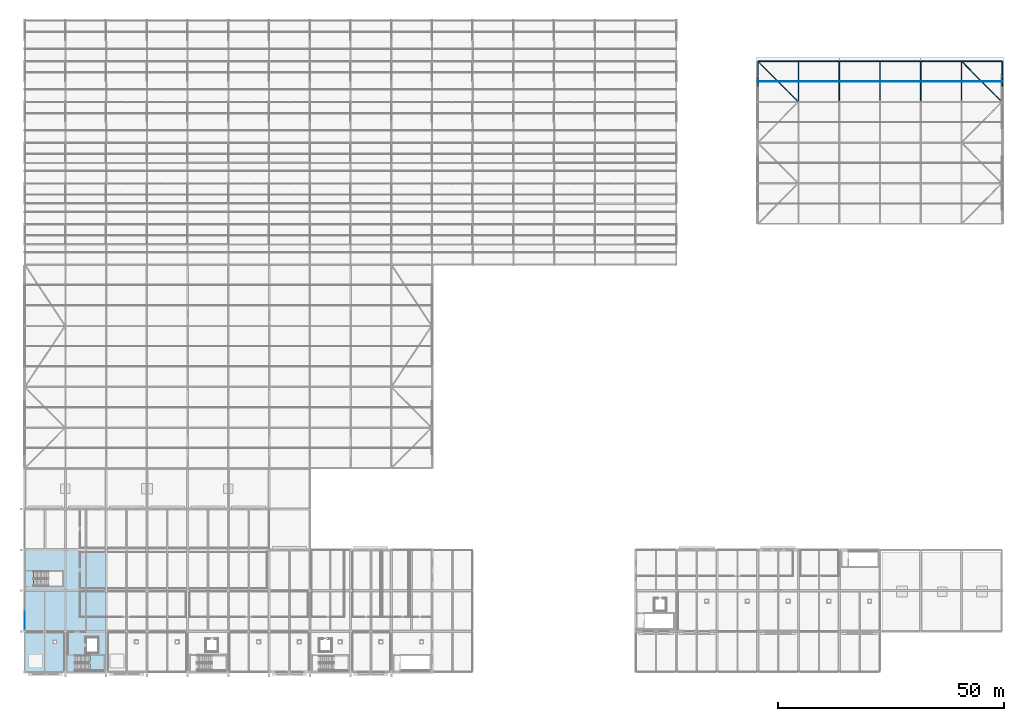
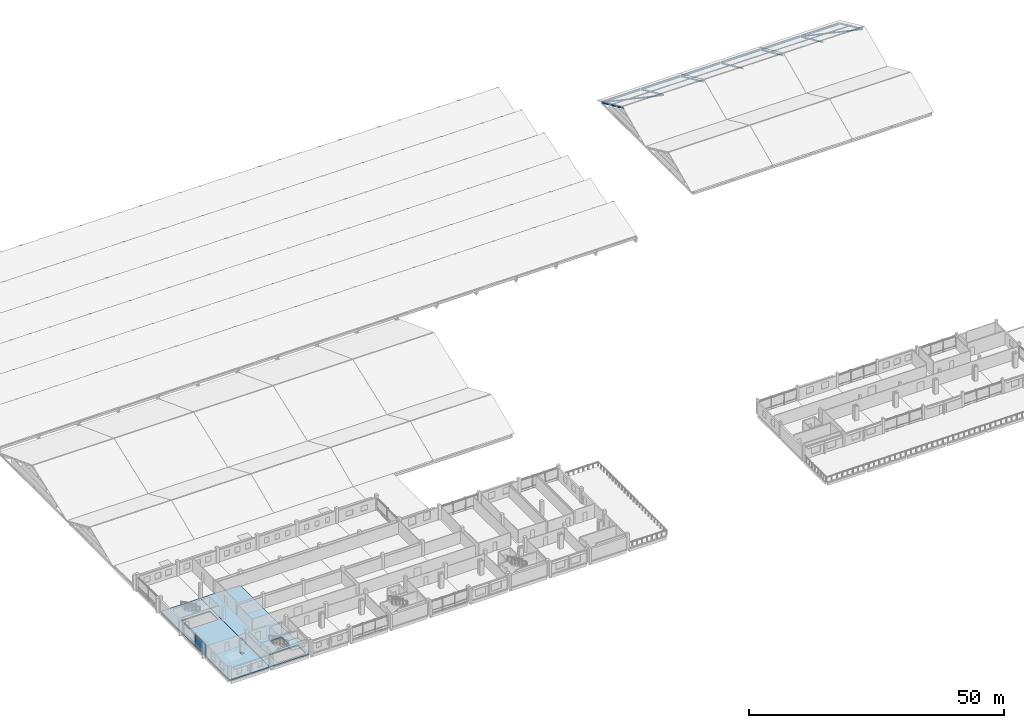
# One storey, part 107 of 163: 15 members, 6 beams, 3 slabs, 2 plates, 2 elements without a shape of their own.
"""IFC4 building model written with IfcOpenShell, lengths in metres."""

from ifc_helpers import new_model, si_unit, direction, frame, origin, origin_2d, place, context, subcontext, project, spatial, polyline, rectangle, i_section, outline, extrude, material, layer, layer_set, material_profile, profile_set, type_object, element, aggregate, save


model = new_model("IFC4")

# Units and contexts
model_context = context("Model", 3, precision=1e-05, world=origin(), true_north=direction((0.0, 1.0)))
body_context = subcontext(model_context, "Body", "Model", "MODEL_VIEW")
ifc_project = project(units=[si_unit("LENGTHUNIT", "METRE"), si_unit("AREAUNIT", "SQUARE_METRE"), si_unit("VOLUMEUNIT", "CUBIC_METRE"), si_unit("PLANEANGLEUNIT", "RADIAN"), si_unit("MASSUNIT", "GRAM", prefix="KILO")], contexts=[model_context])

# Site, building, storey
site_placement = place(None, origin())
site = spatial("IfcSite", under=ifc_project, at=site_placement, CompositionType="ELEMENT")
building_placement = place(site_placement, origin())
building = spatial("IfcBuilding", under=site, at=building_placement, Name="Tharagai Park Tramway Depot", CompositionType="ELEMENT")
storey_placement = place(building_placement, frame((0.0, 0.0, 8.39990234375)))
storey = spatial("IfcBuildingStorey", under=building, at=storey_placement, Name="L02", CompositionType="ELEMENT", Elevation=8.39990234375)

# Beams
ifc_material_1 = material(Name="Steel E350", Category="steel")
ifc_material_profile_1 = material_profile(ifc_material_1, i_section(OverallWidth=0.179931640625, OverallDepth=0.5, WebThickness=0.01025390625, FlangeThickness=0.01708984375, FilletRadius=0.01708984375, at=origin_2d()), Name="ISMB 500")
ifc_profile_set_1 = profile_set([ifc_material_profile_1], Name="Steel E350")
beam_type = type_object("IfcBeamType", Name="BM-18", PredefinedType="BEAM", material=ifc_profile_set_1)
for number, where, z_axis, x_axis, name in (
    (1, (162.080078125, 135.0, -0.5), (1.0, 0.0, 0.0), (0.0, 1.0, 0.0), "V3B2 Roof Eave Girder BM-18"),
    (2, (171.080078125, 135.0, -0.5), (1.0, 0.0, 0.0), (0.0, 1.0, 0.0), "V3B2 Roof Eave Girder BM-18"),
    (3, (180.080078125, 135.0, -0.5), (1.0, 0.0, 0.0), (0.0, 1.0, 0.0), "V3B2 Roof Eave Girder BM-18"),
    (4, (189.080078125, 135.0, -0.5), (1.0, 0.0, 0.0), (0.0, 1.0, 0.0), "V3B2 Roof Eave Girder BM-18"),
    (5, (198.080078125, 135.0, -0.5), (1.0, 0.0, 0.0), (0.0, 1.0, 0.0), "V3B2 Roof Eave Girder BM-18"),
    (6, (207.080078125, 135.0, -0.5), (1.0, 0.0, 0.0), (0.0, 1.0, 0.0), "V3B2 Roof Eave Girder BM-18"),
):
    element("IfcBeam", number, at=place(storey_placement, frame(where, z_axis=z_axis, x_axis=x_axis)), inside=storey, type_object=beam_type, Name=name, PredefinedType="BEAM", context=body_context, shape_type="SweptSolid", body=[
        extrude(i_section(OverallWidth=0.179931640625, OverallDepth=0.5, WebThickness=0.01025390625, FlangeThickness=0.01708984375, FilletRadius=0.01708984375, at=origin_2d()), origin(), (0.0, 0.0, 1.0), 8.83984375),
    ])

# Members
ifc_material_profile_2 = material_profile(ifc_material_1, i_section(OverallWidth=0.110107421875, OverallDepth=0.22509765625, WebThickness=0.006591796875, FlangeThickness=0.01171875, FilletRadius=0.011962890625, at=origin_2d()), Name="ISMB 225")
ifc_profile_set_2 = profile_set([ifc_material_profile_2], Name="Steel E350")
member_type_1 = type_object("IfcMemberType", Name="BR-04", PredefinedType="BRACE", material=ifc_profile_set_2)
for number, where, z_axis, x_axis, name in (
    (7, (162.080078125, 134.919921875, -0.5), (0.670013535157, -0.676083034703, 0.306583745318), (0.710287879152, 0.703911307432, 0.0), "V3B2 Roof Wind Brace BR-04"),
    (8, (207.080078125, 134.919921875, -0.5), (0.670013535157, -0.676083034703, 0.306583745318), (0.710287879152, 0.703911307432, 0.0), "V3B2 Roof Wind Brace BR-04"),
):
    element("IfcMember", number, at=place(storey_placement, frame(where, z_axis=z_axis, x_axis=x_axis)), inside=storey, type_object=member_type_1, Name=name, PredefinedType="BRACE", context=body_context, shape_type="SweptSolid", body=[
        extrude(i_section(OverallWidth=0.110107421875, OverallDepth=0.22509765625, WebThickness=0.006591796875, FlangeThickness=0.01171875, FilletRadius=0.011962890625, at=origin_2d()), origin(), (0.0, 0.0, 1.0), 13.193603515625),
    ])
ifc_material_2 = material(Name="Steel E250", Category="steel")
ifc_material_profile_3 = material_profile(ifc_material_2, i_section(OverallWidth=0.080078125, OverallDepth=0.14990234375, WebThickness=0.0048828125, FlangeThickness=0.007568359375, FilletRadius=0.009033203125, at=origin_2d()), Name="ISMB 150")
ifc_profile_set_3 = profile_set([ifc_material_profile_3], Name="Steel E250")
member_type_2 = type_object("IfcMemberType", Name="PR-05", PredefinedType="PURLIN", material=ifc_profile_set_3)
for number, where, z_axis, x_axis, name in (
    (9, (162.02001953125, 130.5, 1.77392578125), (1.0, 0.0, 0.0), (0.0, 1.0, 0.0), "V3B2 Roof Purlin PR-05"),
    (10, (171.02001953125, 130.5, 1.77392578125), (1.0, 0.0, 0.0), (0.0, 1.0, 0.0), "V3B2 Roof Purlin PR-05"),
    (11, (180.02001953125, 130.5, 1.77392578125), (1.0, 0.0, 0.0), (0.0, 1.0, 0.0), "V3B2 Roof Purlin PR-05"),
    (12, (189.02001953125, 130.5, 1.77392578125), (1.0, 0.0, 0.0), (0.0, 1.0, 0.0), "V3B2 Roof Purlin PR-05"),
    (13, (198.02001953125, 130.5, 1.77392578125), (1.0, 0.0, 0.0), (0.0, 1.0, 0.0), "V3B2 Roof Purlin PR-05"),
    (14, (207.02001953125, 130.5, 1.77392578125), (1.0, 0.0, 0.0), (0.0, 1.0, 0.0), "V3B2 Roof Purlin PR-05"),
):
    element("IfcMember", number, at=place(storey_placement, frame(where, z_axis=z_axis, x_axis=x_axis)), inside=storey, type_object=member_type_2, Name=name, PredefinedType="PURLIN", context=body_context, shape_type="SweptSolid", body=[
        extrude(i_section(OverallWidth=0.080078125, OverallDepth=0.14990234375, WebThickness=0.0048828125, FlangeThickness=0.007568359375, FilletRadius=0.009033203125, at=origin_2d()), origin(), (0.0, 0.0, 1.0), 8.9599609375),
    ])
ifc_material_profile_4 = material_profile(ifc_material_1, i_section(OverallWidth=0.139892578125, OverallDepth=0.35009765625, WebThickness=0.008056640625, FlangeThickness=0.01416015625, FilletRadius=0.013916015625, at=origin_2d()), Name="ISMB 350")
ifc_profile_set_4 = profile_set([ifc_material_profile_4], Name="Steel E350")
member_type_3 = type_object("IfcMemberType", Name="RF-01", PredefinedType="RAFTER", material=ifc_profile_set_4)
for number, where, z_axis, x_axis, name in (
    (15, (162.0, 126.0, 3.56982421875), (0.0, 0.909083998875, -0.416612869448), (-1.0, 0.0, 0.0), "V3B2 Pitched Rafter RF-01 North"),
    (16, (171.0, 126.0, 3.56982421875), (0.0, 0.909083998875, -0.416612869448), (-1.0, 0.0, 0.0), "V3B2 Pitched Rafter RF-01 North"),
    (17, (180.0, 126.0, 3.56982421875), (0.0, 0.909083998875, -0.416612869448), (-1.0, 0.0, 0.0), "V3B2 Pitched Rafter RF-01 North"),
    (18, (189.0, 126.0, 3.56982421875), (0.0, 0.909083998875, -0.416612869448), (-1.0, 0.0, 0.0), "V3B2 Pitched Rafter RF-01 North"),
    (19, (198.0, 126.0, 3.56982421875), (0.0, 0.909083998875, -0.416612869448), (-1.0, 0.0, 0.0), "V3B2 Pitched Rafter RF-01 North"),
    (20, (207.0, 126.0, 3.56982421875), (0.0, 0.909083998875, -0.416612869448), (-1.0, 0.0, 0.0), "V3B2 Pitched Rafter RF-01 North"),
    (21, (216.0, 126.0, 3.56982421875), (0.0, 0.909083998875, -0.416612869448), (-1.0, 0.0, 0.0), "V3B2 Pitched Rafter RF-01 North"),
):
    element("IfcMember", number, at=place(storey_placement, frame(where, z_axis=z_axis, x_axis=x_axis)), inside=storey, type_object=member_type_3, Name=name, PredefinedType="RAFTER", context=body_context, shape_type="SweptSolid", body=[
        extrude(i_section(OverallWidth=0.139892578125, OverallDepth=0.35009765625, WebThickness=0.008056640625, FlangeThickness=0.01416015625, FilletRadius=0.013916015625, at=origin_2d()), origin(), (0.0, 0.0, 1.0), 9.844970703125),
    ])

# Curtain wall, plates
ifc_material_3 = material(Name="Anodised aluminium", Category="aluminium")
curtain_wall_type = type_object("IfcCurtainWallType", Name="CW-07", PredefinedType="NOTDEFINED", material=ifc_material_3)
curtain_wall_placement = place(storey_placement, origin())
curtain_wall = element("IfcCurtainWall", 22, at=curtain_wall_placement, inside=storey, type_object=curtain_wall_type, Name="L02 V4 Side Mullioned Curtain Wall CW-07", PredefinedType="NOTDEFINED")
ifc_layer_1 = layer(ifc_material_3, 0.0400390625)
ifc_layer_set_1 = layer_set([ifc_layer_1], Name="Anodised aluminium")
plate_type_1 = type_object("IfcPlateType", Name="CP-01", PredefinedType="CURTAIN_PANEL", material=ifc_layer_set_1)
plate_1_placement = place(storey_placement, frame((0.0, 11.39501953125, 0.080078125), z_axis=(0.0, 0.0, 1.0), x_axis=(0.0, 1.0, 0.0)))
plate_1 = element("IfcPlate", 23, at=plate_1_placement, type_object=plate_type_1, Name="L02 V4 Side Mullioned Curtain Wall Spandrel Panel 1.1", PredefinedType="CURTAIN_PANEL", context=body_context, shape_type="SweptSolid", body=[
    extrude(rectangle(XDim=4.18994140625, YDim=0.0400390625, at=origin_2d()), origin(), (0.0, 0.0, 1.0), 0.550048828125),
])
ifc_material_4 = material(Name="Laminated solar-control glass", Category="glass")
ifc_layer_2 = layer(ifc_material_4, 0.028076171875)
ifc_layer_set_2 = layer_set([ifc_layer_2], Name="Laminated solar-control glass")
plate_type_2 = type_object("IfcPlateType", Name="CP-02", PredefinedType="CURTAIN_PANEL", material=ifc_layer_set_2)
plate_2_placement = place(storey_placement, frame((0.0, 11.39501953125, 0.670166015625), z_axis=(0.0, 0.0, 1.0), x_axis=(0.0, 1.0, 0.0)))
plate_2 = element("IfcPlate", 24, at=plate_2_placement, type_object=plate_type_2, Name="L02 V4 Side Mullioned Curtain Wall Glazed Panel 1.2", PredefinedType="CURTAIN_PANEL", context=body_context, shape_type="SweptSolid", body=[
    extrude(rectangle(XDim=4.18994140625, YDim=0.028076171875, at=origin_2d()), origin(), (0.0, 0.0, 1.0), 2.080078125),
])
aggregate(curtain_wall, [plate_1, plate_2])

# Stair, slab
ifc_material_5 = material(Name="Concrete M35", Category="concrete")
stair_type = type_object("IfcStairType", Name="STT-02", PredefinedType="HALF_TURN_STAIR", material=ifc_material_5)
stair_placement = place(storey_placement, origin())
stair = element("IfcStair", 25, at=stair_placement, inside=storey, type_object=stair_type, Name="L02 Protected Exit Stair ST-01", PredefinedType="HALF_TURN_STAIR")
ifc_layer_3 = layer(ifc_material_5, 0.199951171875)
ifc_layer_set_3 = layer_set([ifc_layer_3], Name="Concrete M35")
slab_type_1 = type_object("IfcSlabType", Name="LN-01", PredefinedType="LANDING", material=ifc_layer_set_3)
slab_1_placement = place(storey_placement, frame((0.0, 0.0, 1.60009765625)))
slab_1 = element("IfcSlab", 26, at=slab_1_placement, type_object=slab_type_1, Name="ST-01 landing 1", PredefinedType="LANDING", context=body_context, shape_type="SweptSolid", body=[
    extrude(outline(polyline([(14.3701171875, 0.39990234375), (17.47998046875, 0.39990234375), (17.47998046875, 3.64990234375), (14.3701171875, 3.64990234375), (14.3701171875, 0.39990234375)])), origin(), (0.0, 0.0, 1.0), 0.199951171875),
])
aggregate(stair, [slab_1])

# Slabs
ifc_layer_4 = layer(ifc_material_5, 0.25)
ifc_layer_set_4 = layer_set([ifc_layer_4], Name="Concrete M35")
slab_type_2 = type_object("IfcSlabType", Name="SB-03", PredefinedType="FLOOR", material=ifc_layer_set_4)
slab_2_placement = place(storey_placement, frame((0.0, 0.0, -0.25)))
element("IfcSlab", 27, at=slab_2_placement, inside=storey, type_object=slab_type_2, Name="L02 V4 Suspended Floor Slab Bay 1", PredefinedType="FLOOR", context=body_context, shape_type="SweptSolid", body=[
    extrude(outline(polyline([(0.0, 0.0), (9.0, 0.0), (9.0, 27.0), (0.0, 27.0), (0.0, 0.0)]), holes=[polyline([(1.949951171875, 19.0), (8.360107421875, 19.0), (8.360107421875, 22.25), (1.949951171875, 22.25), (1.949951171875, 19.0)]), polyline([(6.39990234375, 6.39990234375), (6.949951171875, 6.39990234375), (6.949951171875, 6.949951171875), (6.39990234375, 6.949951171875), (6.39990234375, 6.39990234375)])]), origin(), (0.0, 0.0, 1.0), 0.25),
])
slab_3_placement = place(storey_placement, frame((0.0, 0.0, -0.25)))
element("IfcSlab", 28, at=slab_3_placement, inside=storey, type_object=slab_type_2, Name="L02 V4 Suspended Floor Slab Bay 2", PredefinedType="FLOOR", context=body_context, shape_type="SweptSolid", body=[
    extrude(outline(polyline([(9.0, 0.0), (18.0, 0.0), (18.0, 27.0), (9.0, 27.0), (9.0, 0.0)]), holes=[polyline([(11.070068359375, 0.39990234375), (17.47998046875, 0.39990234375), (17.47998046875, 3.64990234375), (11.070068359375, 3.64990234375), (11.070068359375, 0.39990234375)]), polyline([(13.60009765625, 4.300048828125), (16.199951171875, 4.300048828125), (16.199951171875, 7.60009765625), (13.60009765625, 7.60009765625), (13.60009765625, 4.300048828125)])]), origin(), (0.0, 0.0, 1.0), 0.25),
])

save(model, "model.ifc")
